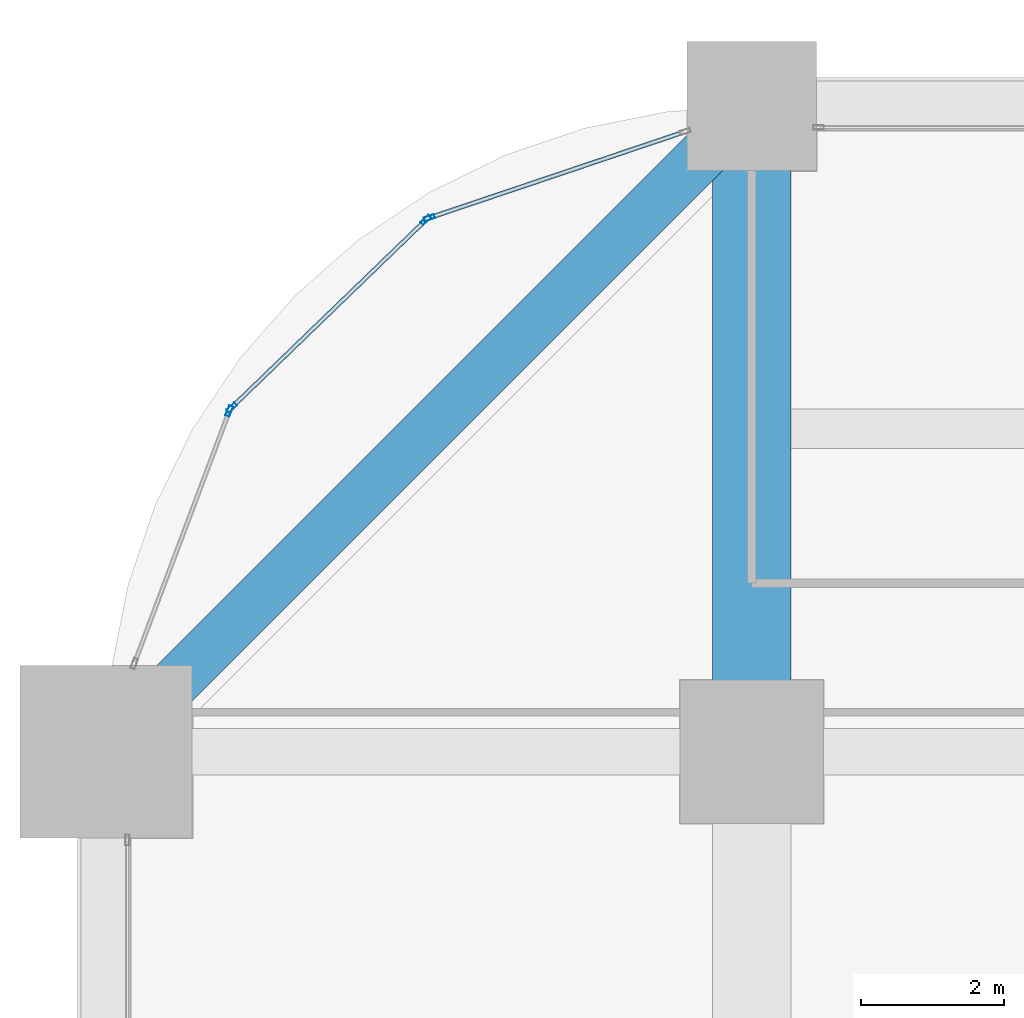
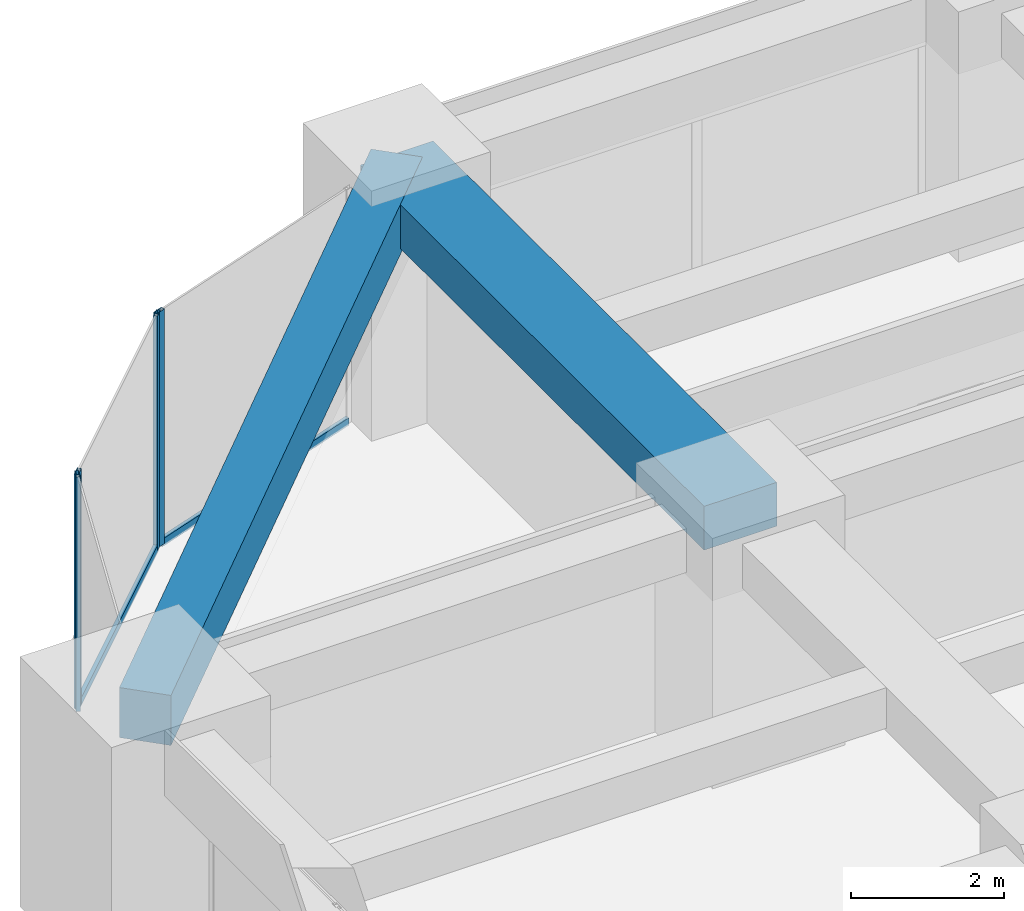
# One storey, part 26 of 41: 6 members, 2 beams, 3 elements without a shape of their own.
"""IFC4 building model written with IfcOpenShell, lengths in metres."""

from ifc_helpers import new_model, si_unit, direction, frame, origin, origin_2d, place, context, subcontext, project, spatial, rectangle, hollow_rectangle, extrude, material, material_profile, profile_set, type_object, element, aggregate, save


model = new_model("IFC4")

# Units and contexts
model_context = context("Model", 3, precision=1e-05, world=origin(), true_north=direction((0.0, 1.0)))
body_context = subcontext(model_context, "Body", "Model", "MODEL_VIEW")
ifc_project = project(units=[si_unit("LENGTHUNIT", "METRE"), si_unit("AREAUNIT", "SQUARE_METRE"), si_unit("VOLUMEUNIT", "CUBIC_METRE"), si_unit("PLANEANGLEUNIT", "RADIAN"), si_unit("MASSUNIT", "GRAM", prefix="KILO")], contexts=[model_context])

# Site, building, storey
site_placement = place(None, origin())
site = spatial("IfcSite", under=ifc_project, at=site_placement, CompositionType="ELEMENT")
building_placement = place(site_placement, origin())
building = spatial("IfcBuilding", under=site, at=building_placement, Name="Zorevar Civic Tower", CompositionType="ELEMENT")
storey_placement = place(building_placement, frame((0.0, 0.0, 97.0)))
storey = spatial("IfcBuildingStorey", under=building, at=storey_placement, Name="L23", CompositionType="ELEMENT", Elevation=97.0)

# Beam
ifc_material_1 = material(Name="Concrete C50/60", Category="concrete")
ifc_material_profile_1 = material_profile(ifc_material_1, rectangle(XDim=1.10009765625, YDim=0.699951171875, at=origin_2d()), Name="RC 1100x700")
ifc_profile_set_1 = profile_set([ifc_material_profile_1], Name="Concrete C50/60")
beam_type_1 = type_object("IfcBeamType", Name="Beam RC 1100x700", PredefinedType="BEAM", material=ifc_profile_set_1)
beam_1_placement = place(storey_placement, frame((9.0, 36.0, 3.39990234375), z_axis=(0.0, 1.0, 0.0), x_axis=(-1.0, 0.0, 0.0)))
element("IfcBeam", 1, at=beam_1_placement, inside=storey, type_object=beam_type_1, Name="Girder L24", PredefinedType="BEAM", context=body_context, shape_type="SweptSolid", body=[
    extrude(rectangle(XDim=1.10009765625, YDim=0.699951171875, at=origin_2d()), origin(), (0.0, 0.0, 1.0), 9.0),
])

# Curtain wall, member
ifc_material_2 = material(Name="Dark grey solar-control glass in black aluminium frame", Category="aluminium")
curtain_wall_type = type_object("IfcCurtainWallType", Name="Curtain wall CW3 mid zone", PredefinedType="NOTDEFINED", material=ifc_material_2)
curtain_wall_1_placement = place(storey_placement, origin())
curtain_wall_1 = element("IfcCurtainWall", 2, at=curtain_wall_1_placement, inside=storey, type_object=curtain_wall_type, Name="CW3 L23", PredefinedType="NOTDEFINED")
ifc_material_3 = material(Name="Aluminium, black anodised", Category="aluminium")
ifc_material_profile_2 = material_profile(ifc_material_3, hollow_rectangle(XDim=0.06005859375, YDim=0.14990234375, WallThickness=0.00390625, at=origin_2d()), Name="AL 150x60x4")
ifc_profile_set_2 = profile_set([ifc_material_profile_2], Name="Aluminium, black anodised")
member_type_1 = type_object("IfcMemberType", Name="CW3 mullion AL 150x60x4", PredefinedType="MULLION", material=ifc_profile_set_2)
member_1_placement = place(storey_placement, frame((4.506591796875, 43.442138671875, 0.0), z_axis=(0.0, 0.0, 1.0), x_axis=(0.319412525043, -0.947615765406, 0.0)))
member_1 = element("IfcMember", 3, at=member_1_placement, type_object=member_type_1, Name="CW3 mullion 2", PredefinedType="MULLION", context=body_context, shape_type="SweptSolid", body=[
    extrude(hollow_rectangle(XDim=0.06005859375, YDim=0.14990234375, WallThickness=0.00390625, at=origin_2d()), origin(), (0.0, 0.0, 1.0), 3.75),
])

# Curtain wall, members
curtain_wall_2_placement = place(storey_placement, origin())
curtain_wall_2 = element("IfcCurtainWall", 4, at=curtain_wall_2_placement, inside=storey, type_object=curtain_wall_type, Name="CW3 L23", PredefinedType="NOTDEFINED")
member_2_placement = place(storey_placement, frame((4.45654296875, 43.41162109375, 0.0), z_axis=(0.0, 0.0, 1.0), x_axis=(0.694719089155, -0.719281160023, 0.0)))
member_2 = element("IfcMember", 5, at=member_2_placement, type_object=member_type_1, Name="CW3 mullion 1", PredefinedType="MULLION", context=body_context, shape_type="SweptSolid", body=[
    extrude(hollow_rectangle(XDim=0.06005859375, YDim=0.14990234375, WallThickness=0.00390625, at=origin_2d()), origin(), (0.0, 0.0, 1.0), 3.75),
])
member_3_placement = place(storey_placement, frame((1.750732421875, 40.798095703125, 0.0), z_axis=(0.0, 0.0, 1.0), x_axis=(0.694719089155, -0.719281160023, 0.0)))
member_3 = element("IfcMember", 6, at=member_3_placement, type_object=member_type_1, Name="CW3 mullion 2", PredefinedType="MULLION", context=body_context, shape_type="SweptSolid", body=[
    extrude(hollow_rectangle(XDim=0.06005859375, YDim=0.14990234375, WallThickness=0.00390625, at=origin_2d()), origin(), (0.0, 0.0, 1.0), 3.75),
])

# Curtain wall, member
curtain_wall_3_placement = place(storey_placement, origin())
curtain_wall_3 = element("IfcCurtainWall", 7, at=curtain_wall_3_placement, inside=storey, type_object=curtain_wall_type, Name="CW3 L23", PredefinedType="NOTDEFINED")
member_4_placement = place(storey_placement, frame((1.718505859375, 40.749267578125, 0.0), z_axis=(0.0, 0.0, 1.0), x_axis=(0.935950528564, -0.352131520999, 0.0)))
member_4 = element("IfcMember", 8, at=member_4_placement, type_object=member_type_1, Name="CW3 mullion 1", PredefinedType="MULLION", context=body_context, shape_type="SweptSolid", body=[
    extrude(hollow_rectangle(XDim=0.06005859375, YDim=0.14990234375, WallThickness=0.00390625, at=origin_2d()), origin(), (0.0, 0.0, 1.0), 3.75),
])
aggregate(curtain_wall_3, [member_4])

# Member
ifc_material_4 = material(Name="Aluminium, black anodised", Category="aluminium")
ifc_material_profile_3 = material_profile(ifc_material_4, hollow_rectangle(XDim=0.06005859375, YDim=0.1201171875, WallThickness=0.0029296875, at=origin_2d()), Name="AL 120x60x3")
ifc_profile_set_3 = profile_set([ifc_material_profile_3], Name="Aluminium, black anodised")
member_type_2 = type_object("IfcMemberType", Name="CW3 transom AL 120x60x3", PredefinedType="USERDEFINED", material=ifc_profile_set_3)
member_5_placement = place(storey_placement, frame((8.043212890625, 44.634033203125, 0.030029296875), z_axis=(-0.9476295577, -0.319371603893, 0.0), x_axis=(0.319371603893, -0.9476295577, 0.0)))
member_5 = element("IfcMember", 9, at=member_5_placement, type_object=member_type_2, Name="CW3 sill transom", ObjectType="TRANSOM", PredefinedType="USERDEFINED", context=body_context, shape_type="SweptSolid", body=[
    extrude(hollow_rectangle(XDim=0.06005859375, YDim=0.1201171875, WallThickness=0.0029296875, at=origin_2d()), origin(), (0.0, 0.0, 1.0), 3.7021484375),
])

aggregate(curtain_wall_1, [member_1, member_5])

member_6_placement = place(storey_placement, frame((4.43505859375, 43.390869140625, 0.030029296875), z_axis=(-0.719266228526, -0.694734548228, 0.0), x_axis=(0.694734548228, -0.719266228526, 0.0)))
member_6 = element("IfcMember", 10, at=member_6_placement, type_object=member_type_2, Name="CW3 sill transom", ObjectType="TRANSOM", PredefinedType="USERDEFINED", context=body_context, shape_type="SweptSolid", body=[
    extrude(hollow_rectangle(XDim=0.06005859375, YDim=0.1201171875, WallThickness=0.0029296875, at=origin_2d()), origin(), (0.0, 0.0, 1.0), 3.7021484375),
])

aggregate(curtain_wall_2, [member_2, member_3, member_6])

# Beam
ifc_material_5 = material(Name="Concrete C50/60", Category="concrete")
ifc_material_profile_4 = material_profile(ifc_material_5, rectangle(XDim=0.699951171875, YDim=0.800048828125, at=origin_2d()), Name="RC 700x800")
ifc_profile_set_4 = profile_set([ifc_material_profile_4], Name="Concrete C50/60")
beam_type_2 = type_object("IfcBeamType", Name="Edge beam RC 700x800", PredefinedType="SPANDREL", material=ifc_profile_set_4)
beam_2_placement = place(storey_placement, frame((9.0, 45.0, 3.35009765625), z_axis=(-0.707106781187, -0.707106781187, 0.0), x_axis=(0.707106781187, -0.707106781187, 0.0)))
element("IfcBeam", 11, at=beam_2_placement, inside=storey, type_object=beam_type_2, Name="Corner edge beam L24", PredefinedType="SPANDREL", context=body_context, shape_type="SweptSolid", body=[
    extrude(rectangle(XDim=0.699951171875, YDim=0.800048828125, at=origin_2d()), origin(), (0.0, 0.0, 1.0), 12.72802734375),
])

save(model, "model.ifc")
